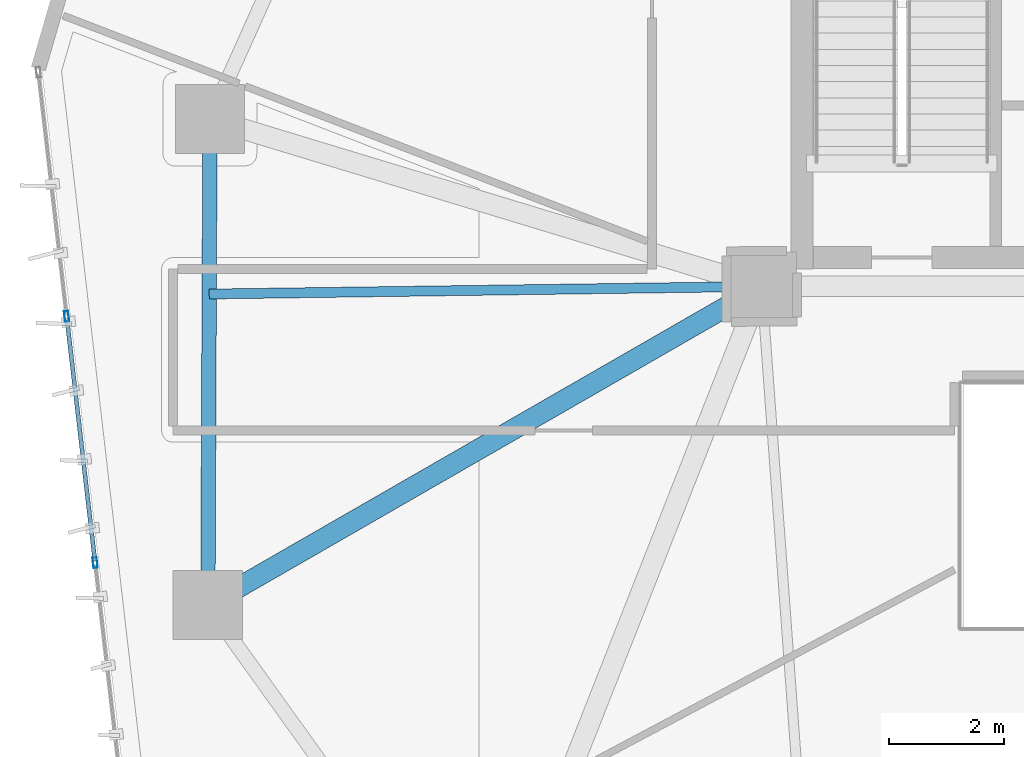
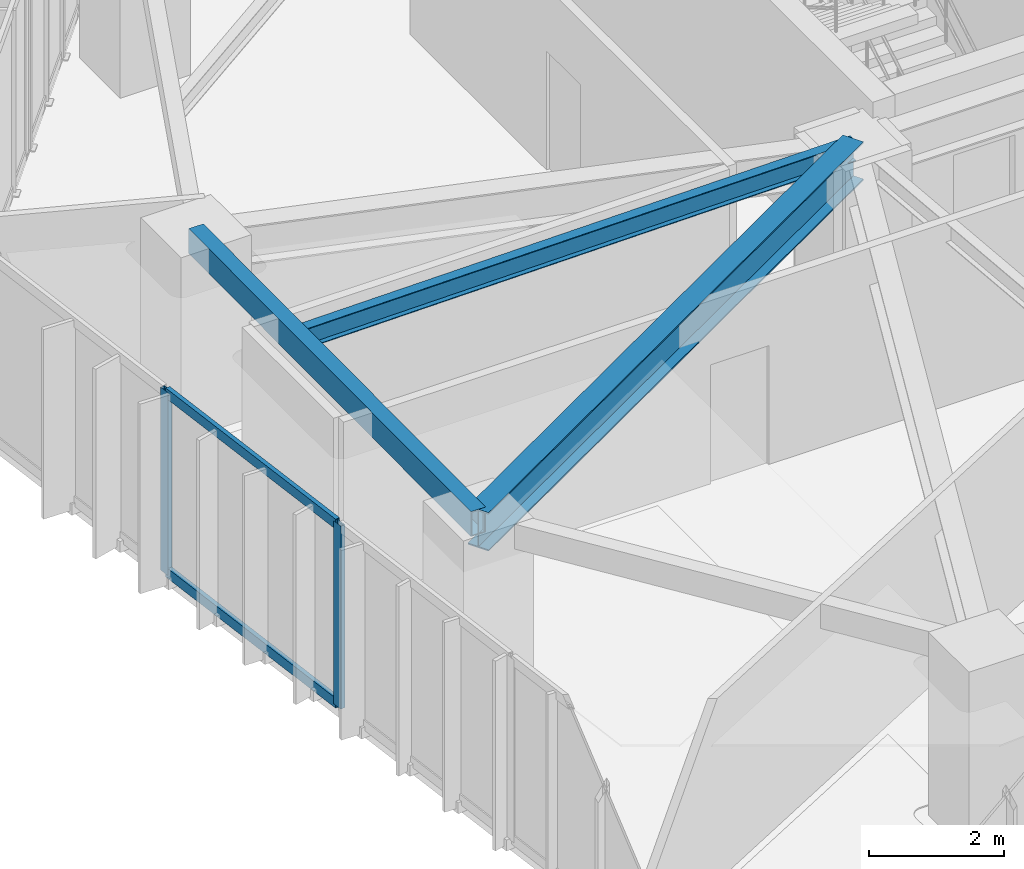
# One storey, part 4 of 23: 4 members, 3 beams, 1 element without a shape of its own.
"""IFC4 building model written with IfcOpenShell, lengths in metres."""

from ifc_helpers import new_model, si_unit, direction, frame, origin, origin_2d, place, context, subcontext, project, spatial, hollow_rectangle, i_section, extrude, source, transform, mapped, material, layer, layer_set, material_profile, profile_set, type_object, type_shapes, element, aggregate, save


model = new_model("IFC4")

# Units and contexts
model_context = context("Model", 3, precision=1e-05, world=origin(), true_north=direction((0.0, 1.0)))
body_context = subcontext(model_context, "Body", "Model", "MODEL_VIEW")
ifc_project = project(units=[si_unit("LENGTHUNIT", "METRE"), si_unit("AREAUNIT", "SQUARE_METRE"), si_unit("VOLUMEUNIT", "CUBIC_METRE"), si_unit("PLANEANGLEUNIT", "RADIAN"), si_unit("MASSUNIT", "GRAM", prefix="KILO")], contexts=[model_context])

# Site, building, storey
site_placement = place(None, origin())
site = spatial("IfcSite", under=ifc_project, at=site_placement, CompositionType="ELEMENT")
building_placement = place(site_placement, origin())
building = spatial("IfcBuilding", under=site, at=building_placement, Name="Talar Marvaseh", CompositionType="ELEMENT")
storey_placement = place(building_placement, frame((0.0, 0.0, 103.800048828125)))
storey = spatial("IfcBuildingStorey", under=building, at=storey_placement, Name="L26", CompositionType="ELEMENT", Elevation=103.800048828125)

# Beams
ifc_material_1 = material(Name="Steel S355", Category="steel")
ifc_material_profile_1 = material_profile(ifc_material_1, hollow_rectangle(XDim=0.25, YDim=0.449951171875, WallThickness=0.01611328125, at=origin_2d()), Name="RHS450x250x16")
ifc_profile_set_1 = profile_set([ifc_material_profile_1], Name="Steel S355")
beam_type_1 = type_object("IfcBeamType", Name="Zone 2 Perimeter Spandrel Beam RHS450x250x16", PredefinedType="SPANDREL", material=ifc_profile_set_1)
beam_1_placement = place(storey_placement, frame((9.10107421875, 19.97705078125, 3.0849609375), z_axis=(0.004375628226, 0.999990426893, 0.0), x_axis=(-0.999990426893, 0.004375628226, 0.0)))
element("IfcBeam", 1, at=beam_1_placement, inside=storey, type_object=beam_type_1, Name="L26 Zone 2 Perimeter Spandrel Beam RHS450x250x16", PredefinedType="SPANDREL", context=body_context, shape_type="SweptSolid", body=[
    extrude(hollow_rectangle(XDim=0.25, YDim=0.449951171875, WallThickness=0.01611328125, at=origin_2d()), origin(), (0.0, 0.0, 1.0), 8.425048828125),
])
ifc_material_profile_2 = material_profile(ifc_material_1, i_section(OverallWidth=0.35498046875, OverallDepth=0.695068359375, WebThickness=0.015380859375, FlangeThickness=0.02490234375, at=origin_2d()), Name="W690x217")
ifc_profile_set_2 = profile_set([ifc_material_profile_2], Name="Steel S355")
beam_type_2 = type_object("IfcBeamType", Name="Zone 2 Radial Floor Girder W690x217", PredefinedType="BEAM", material=ifc_profile_set_2)
beam_2_placement = place(storey_placement, frame((9.10107421875, 19.97705078125, 2.96240234375), z_axis=(0.866765990926, 0.498715065919, 0.0), x_axis=(-0.498715065919, 0.866765990926, 0.0)))
element("IfcBeam", 2, at=beam_2_placement, inside=storey, type_object=beam_type_2, Name="L26 Zone 2 Radial Floor Girder W690x217", PredefinedType="BEAM", context=body_context, shape_type="SweptSolid", body=[
    extrude(i_section(OverallWidth=0.35498046875, OverallDepth=0.695068359375, WebThickness=0.015380859375, FlangeThickness=0.02490234375, at=origin_2d()), origin(), (0.0, 0.0, 1.0), 11.074462890625),
])
ifc_material_profile_3 = material_profile(ifc_material_1, i_section(OverallWidth=0.172119140625, OverallDepth=0.35791015625, WebThickness=0.0078125, FlangeThickness=0.01318359375, at=origin_2d()), Name="W360x57")
ifc_profile_set_3 = profile_set([ifc_material_profile_3], Name="Steel S355")
beam_type_3 = type_object("IfcBeamType", Name="Zone 2 Secondary Floor Joist W360x57", PredefinedType="JOIST", material=ifc_profile_set_3)
beam_3_placement = place(storey_placement, frame((9.124755859375, 25.368896484375, 3.130859375), z_axis=(0.999906277829, 0.013690710637, 0.0), x_axis=(-0.013690710637, 0.999906277829, 0.0)))
element("IfcBeam", 3, at=beam_3_placement, inside=storey, type_object=beam_type_3, Name="L26 Zone 2 Secondary Floor Joist W360x57", PredefinedType="JOIST", context=body_context, shape_type="SweptSolid", body=[
    extrude(i_section(OverallWidth=0.172119140625, OverallDepth=0.35791015625, WebThickness=0.0078125, FlangeThickness=0.01318359375, at=origin_2d()), origin(), (0.0, 0.0, 1.0), 9.576171875),
])

# Curtain wall, members
ifc_material_2 = material(Name="Architectural Aluminium", Category="aluminium")
ifc_layer = layer(ifc_material_2, 0.199951171875)
ifc_layer_set = layer_set([ifc_layer], Name="Architectural Aluminium")
curtain_wall_type = type_object("IfcCurtainWallType", Name="Unitised Acoustic Library Curtain Wall Z2", PredefinedType="NOTDEFINED", material=ifc_layer_set)
curtain_wall_placement = place(storey_placement, origin())
curtain_wall = element("IfcCurtainWall", 4, at=curtain_wall_placement, inside=storey, type_object=curtain_wall_type, Name="L26 Unitised Acoustic Library Curtain Wall Z2", PredefinedType="NOTDEFINED")
ifc_material_profile_4 = material_profile(ifc_material_2, hollow_rectangle(XDim=0.074951171875, YDim=0.179931640625, WallThickness=0.0048828125, at=origin_2d()), Name="RHS180x75x5")
ifc_profile_set_4 = profile_set([ifc_material_profile_4], Name="Architectural Aluminium")
member_type_1 = type_object("IfcMemberType", Name="Unitised Curtain Wall Standard Mullion RHS180x75x5", PredefinedType="MULLION", material=ifc_profile_set_4)
shared_shape_1 = source(origin(), body_context, "Body", "SweptSolid", [
    extrude(hollow_rectangle(XDim=0.074951171875, YDim=0.179931640625, WallThickness=0.0048828125, at=origin_2d()), origin(), (0.0, 0.0, 1.0), 3.31005859375),
])
type_shapes(member_type_1, [shared_shape_1])
member_1_placement = place(storey_placement, frame((7.1474609375, 20.712646484375, 0.0), z_axis=(0.0, 0.0, 1.0), x_axis=(-0.99338052626, -0.114870057226, 0.0)))
member_1 = element("IfcMember", 5, at=member_1_placement, type_object=member_type_1, Name="CW-Z2 mullion 3", PredefinedType="MULLION", context=body_context, shape_type="MappedRepresentation", body=[
    mapped(shared_shape_1, transform((0.0, 0.0, 0.0), x_axis=(1.0, 0.0, 0.0), y_axis=(0.0, 1.0, 0.0), z_axis=(0.0, 0.0, 1.0), scale=1.0)),
])
member_2_placement = place(storey_placement, frame((6.65380859375, 24.982177734375, 0.0), z_axis=(0.0, 0.0, 1.0), x_axis=(-0.99338052626, -0.114870057226, 0.0)))
member_2 = element("IfcMember", 6, at=member_2_placement, type_object=member_type_1, Name="CW-Z2 mullion 4", PredefinedType="MULLION", context=body_context, shape_type="MappedRepresentation", body=[
    mapped(shared_shape_1, transform((0.0, 0.0, 0.0), x_axis=(1.0, 0.0, 0.0), y_axis=(0.0, 1.0, 0.0), z_axis=(0.0, 0.0, 1.0), scale=1.0)),
])
ifc_material_profile_5 = material_profile(ifc_material_2, hollow_rectangle(XDim=0.074951171875, YDim=0.179931640625, WallThickness=0.0048828125, at=origin_2d()), Name="RHS180x75x5")
ifc_profile_set_5 = profile_set([ifc_material_profile_5], Name="Architectural Aluminium")
member_type_2 = type_object("IfcMemberType", Name="Unitised Curtain Wall Transom RHS180x75x5", PredefinedType="USERDEFINED", material=ifc_profile_set_5)
shared_shape_2 = source(origin(), body_context, "Body", "SweptSolid", [
    extrude(hollow_rectangle(XDim=0.074951171875, YDim=0.179931640625, WallThickness=0.0048828125, at=origin_2d()), origin(), (0.0, 0.0, 1.0), 4.222900390625),
])
type_shapes(member_type_2, [shared_shape_2])
member_3_placement = place(storey_placement, frame((7.14306640625, 20.75, 0.037353515625), z_axis=(-0.114878659589, 0.993379531484, 0.0), x_axis=(-0.993379531484, -0.114878659589, 0.0)))
member_3 = element("IfcMember", 7, at=member_3_placement, type_object=member_type_2, Name="CW-Z2 transom 3.1", ObjectType="TRANSOM", PredefinedType="USERDEFINED", context=body_context, shape_type="MappedRepresentation", body=[
    mapped(shared_shape_2, transform((0.0, 0.0, 0.0), x_axis=(1.0, 0.0, 0.0), y_axis=(0.0, 1.0, 0.0), z_axis=(0.0, 0.0, 1.0), scale=1.0)),
])
member_4_placement = place(storey_placement, frame((7.14306640625, 20.75, 3.2724609375), z_axis=(-0.114878659589, 0.993379531484, 0.0), x_axis=(-0.993379531484, -0.114878659589, 0.0)))
member_4 = element("IfcMember", 8, at=member_4_placement, type_object=member_type_2, Name="CW-Z2 transom 3.2", ObjectType="TRANSOM", PredefinedType="USERDEFINED", context=body_context, shape_type="MappedRepresentation", body=[
    mapped(shared_shape_2, transform((0.0, 0.0, 0.0), x_axis=(1.0, 0.0, 0.0), y_axis=(0.0, 1.0, 0.0), z_axis=(0.0, 0.0, 1.0), scale=1.0)),
])
aggregate(curtain_wall, [member_1, member_2, member_3, member_4])

save(model, "model.ifc")
